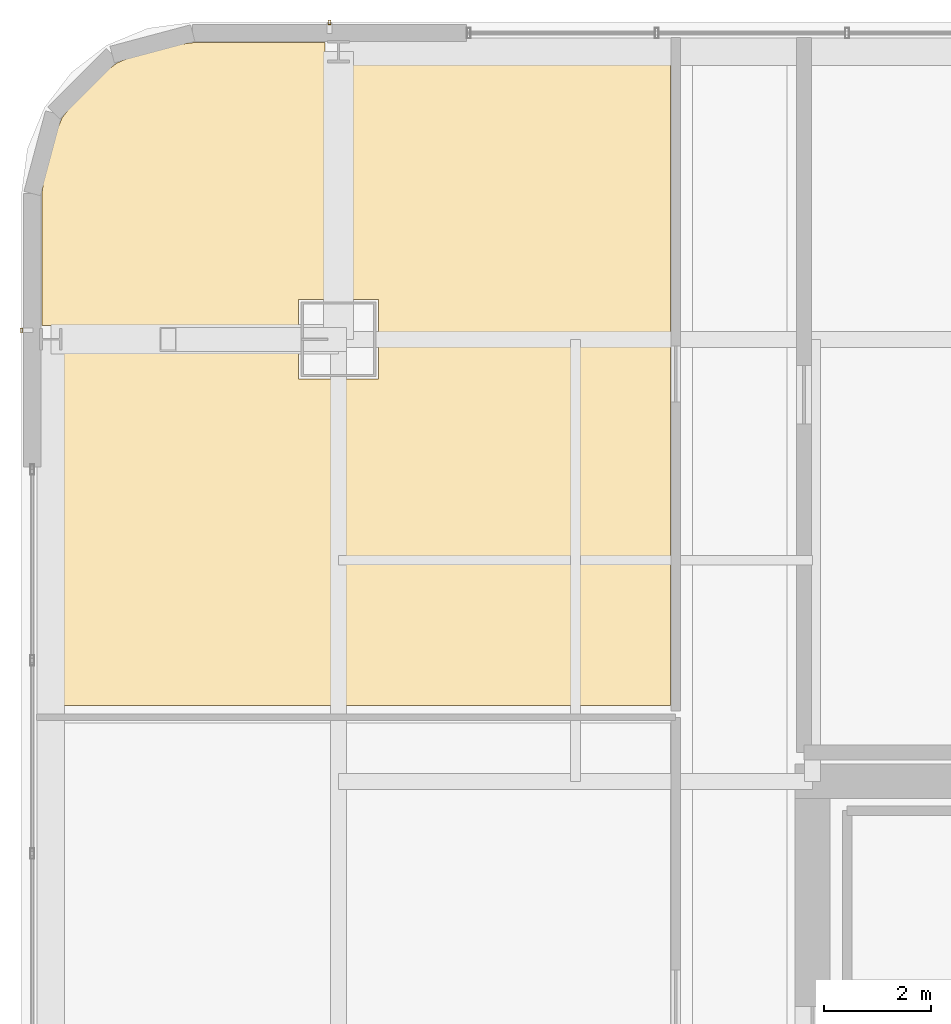
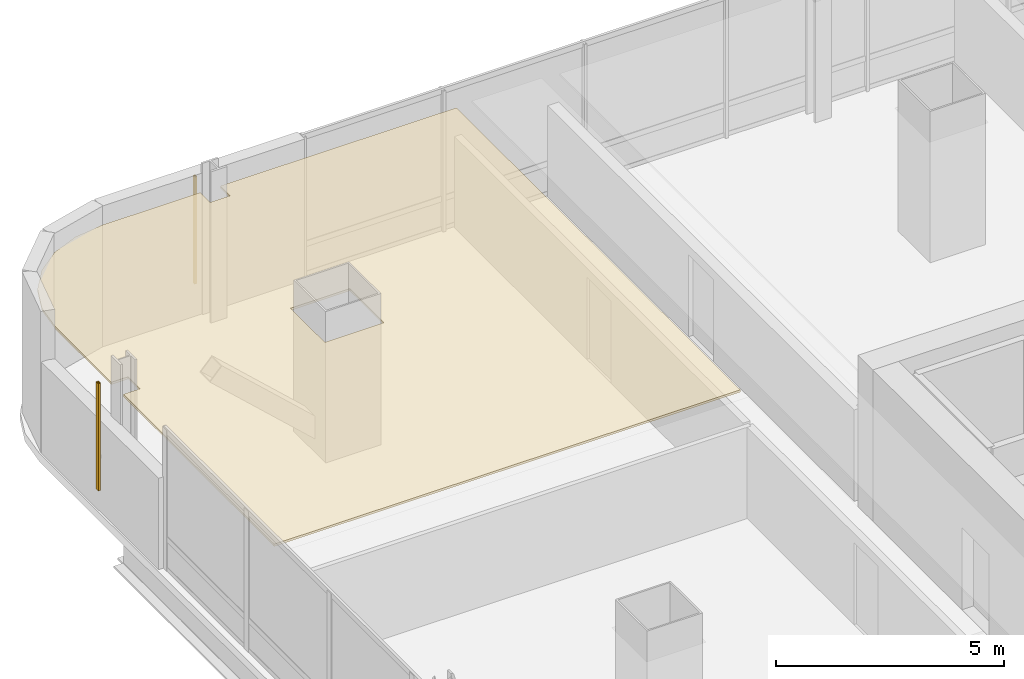
# One storey, part 45 of 47: 2 shading devices, 1 covering.
"""IFC4 building model written with IfcOpenShell, lengths in metres."""

import ifcopenshell
import ifcopenshell.guid

model = None  # the IFC model being written
_history = None  # IfcOwnerHistory: only IFC2X3 demands one
_inside = {}  # id of a spatial element -> (the spatial element, [elements in it])
_under = {}  # id of a project, library or spatial element -> (it, [spatial elements below it])
_declared = {}  # id of a project -> (the project, [libraries it declares])
_typed = {}  # id of a type object -> (the type object, [elements of that type])
_made_of = {}  # id of a material, layer set ... -> (it, [elements and type objects made of it])


def new_model(schema):
    """Start an empty IFC model of exactly this schema.

    Asked for "IFC4X3", IfcOpenShell would pick the latest addendum, in which some entities
    have other attributes; the version numbers below select the first issue.
    IFC2X3 requires an IfcOwnerHistory on every rooted entity: one is made here for all.
    """
    global model, _history
    if schema == "IFC4X3":
        model = ifcopenshell.file(schema_version=(4, 3, 0, 0))
    else:
        model = ifcopenshell.file(schema=schema)
    _inside.clear()
    _under.clear()
    _declared.clear()
    _typed.clear()
    _made_of.clear()
    _history = None
    if model.schema == "IFC2X3":
        org = make("IfcOrganization", Name="unknown")
        user = make(
            "IfcPersonAndOrganization",
            ThePerson=make("IfcPerson", FamilyName="unknown"),
            TheOrganization=org,
        )
        app = make(
            "IfcApplication",
            ApplicationDeveloper=org,
            Version="unknown",
            ApplicationFullName="unknown",
            ApplicationIdentifier="unknown",
        )
        _history = make(
            "IfcOwnerHistory",
            OwningUser=user,
            OwningApplication=app,
            ChangeAction="ADDED",
            CreationDate=0,
        )
    return model


def make(cls, **values):
    """One entity of the class cls with the attributes given. An attribute that is None is left unset."""
    return model.create_entity(
        cls, **{name: value for name, value in values.items() if value is not None}
    )


def rooted(cls, **values):
    """An entity with a GlobalId (a new one), such as an element, a storey or a relation."""
    return make(cls, GlobalId=ifcopenshell.guid.new(), OwnerHistory=_history, **values)


def si_unit(unit_type, name, prefix=None):
    """IfcSIUnit, for example si_unit("LENGTHUNIT", "METRE", prefix="MILLI")."""
    return make("IfcSIUnit", UnitType=unit_type, Prefix=prefix, Name=name)


def assignment(units):
    """IfcUnitAssignment: the units of a project."""
    return None if units is None else make("IfcUnitAssignment", Units=units)


def point(xyz):
    """IfcCartesianPoint."""
    return None if xyz is None else make("IfcCartesianPoint", Coordinates=xyz)


def direction(xyz):
    """IfcDirection."""
    return None if xyz is None else make("IfcDirection", DirectionRatios=xyz)


def frame(location, z_axis=None, x_axis=None):
    """IfcAxis2Placement3D, a coordinate frame: its origin and axes. An axis left out is left unset."""
    return make(
        "IfcAxis2Placement3D",
        Location=point(location),
        Axis=direction(z_axis),
        RefDirection=direction(x_axis),
    )


def frame_2d(location, x_axis=None):
    """IfcAxis2Placement2D, a coordinate frame in the plane: its origin and x axis."""
    return make(
        "IfcAxis2Placement2D", Location=point(location), RefDirection=direction(x_axis)
    )


def origin():
    """The frame at (0, 0, 0) with its axes left unset."""
    return frame((0.0, 0.0, 0.0))


def origin_2d():
    """The frame at (0, 0) in the plane with its x axis left unset."""
    return frame_2d((0.0, 0.0))


def place(relative_to, where):
    """IfcLocalPlacement: puts the frame where relative to a parent placement (None: the world)."""
    return make(
        "IfcLocalPlacement", PlacementRelTo=relative_to, RelativePlacement=where
    )


def context(
    kind, dimensions, precision=None, world=None, true_north=None, identifier=None
):
    """IfcGeometricRepresentationContext, for example the 3D "Model" context."""
    return make(
        "IfcGeometricRepresentationContext",
        ContextIdentifier=identifier,
        ContextType=kind,
        CoordinateSpaceDimension=dimensions,
        Precision=precision,
        WorldCoordinateSystem=world,
        TrueNorth=true_north,
    )


def subcontext(parent, identifier, kind, view, scale=None):
    """IfcGeometricRepresentationSubContext, for example "Body" below "Model"."""
    return make(
        "IfcGeometricRepresentationSubContext",
        ContextIdentifier=identifier,
        ContextType=kind,
        ParentContext=parent,
        TargetScale=scale,
        TargetView=view,
    )


def project(units=None, contexts=None):
    """IfcProject with its units and contexts."""
    return rooted(
        "IfcProject",
        Name="project",
        RepresentationContexts=contexts,
        UnitsInContext=assignment(units),
    )


def spatial(cls, under=None, at=None, **own):
    """A site, building, storey or space (cls), placed at a placement, below another one or the project."""
    s = rooted(cls, ObjectPlacement=at, **own)
    if under is not None:
        _under.setdefault(under.id(), (under, []))[1].append(s)
    return s


def polyline(points):
    """IfcPolyline through the points."""
    return make("IfcPolyline", Points=[point(p) for p in points])


def profile(cls, at=None, kind="AREA", **sizes):
    """A parametric profile (cls). Its sizes go by their IFC names, for example OverallWidth=200.0."""
    return make(cls, ProfileType=kind, Position=at, **sizes)


def hollow_rectangle(**sizes):
    """IfcRectangleHollowProfileDef."""
    return profile("IfcRectangleHollowProfileDef", **sizes)


def outline(outer, holes=None, kind="AREA"):
    """IfcArbitraryClosedProfileDef: a profile drawn as a closed curve; with holes, ...WithVoids."""
    if holes is None:
        return make("IfcArbitraryClosedProfileDef", ProfileType=kind, OuterCurve=outer)
    return make(
        "IfcArbitraryProfileDefWithVoids",
        ProfileType=kind,
        OuterCurve=outer,
        InnerCurves=holes,
    )


def extrude(swept, where, along, depth):
    """IfcExtrudedAreaSolid: the profile swept, set in the frame where, extruded along a direction by depth."""
    return make(
        "IfcExtrudedAreaSolid",
        SweptArea=swept,
        Position=where,
        ExtrudedDirection=direction(along),
        Depth=depth,
    )


def shape(context_of_items, identifier, shape_type, items):
    """IfcShapeRepresentation: the items that make up one representation, for example the "Body"."""
    return make(
        "IfcShapeRepresentation",
        ContextOfItems=context_of_items,
        RepresentationIdentifier=identifier,
        RepresentationType=shape_type,
        Items=items,
    )


def material(Name=None, Category=None):
    """IfcMaterial."""
    return make("IfcMaterial", Name=Name, Category=Category)


def layer(
    of_material, thickness, ventilated=None, Name=None, Category=None, Priority=None
):
    """IfcMaterialLayer: one layer of a wall or slab, of a material (None: an air gap)."""
    return make(
        "IfcMaterialLayer",
        Material=of_material,
        LayerThickness=thickness,
        IsVentilated=ventilated,
        Name=Name,
        Category=Category,
        Priority=Priority,
    )


def layer_set(layers, Name=None):
    """IfcMaterialLayerSet."""
    return make("IfcMaterialLayerSet", MaterialLayers=layers, LayerSetName=Name)


def material_profile(
    of_material, cross_section, Name=None, Category=None, Priority=None
):
    """IfcMaterialProfile: a cross section and its material."""
    return make(
        "IfcMaterialProfile",
        Name=Name,
        Material=of_material,
        Profile=cross_section,
        Priority=Priority,
        Category=Category,
    )


def profile_set(profiles, Name=None, composite=None):
    """IfcMaterialProfileSet."""
    return make(
        "IfcMaterialProfileSet",
        Name=Name,
        MaterialProfiles=profiles,
        CompositeProfile=composite,
    )


def made_of(thing, what):
    """Note that an element or type object is made of a material, layer set ...; save() writes the relation."""
    if what is not None:
        _made_of.setdefault(what.id(), (what, []))[1].append(thing)
    return thing


def type_object(cls, material=None, **own):
    """A type object (cls), such as IfcWallType, which elements share."""
    return made_of(rooted(cls, **own), material)


def element(
    cls,
    number,
    at=None,
    inside=None,
    cuts=None,
    type_object=None,
    material=None,
    context=None,
    identifier="Body",
    shape_type=None,
    held_by="IfcProductDefinitionShape",
    body=None,
    shapes=None,
    **own,
):
    """One element of the class cls, such as IfcWall. Its Tag is "e" and its number.

    at: its placement. inside: the storey or other place that contains it. cuts: it is an
    opening in that element (IfcRelVoidsElement). A single representation is given by context,
    identifier, shape_type and body (its items); several are given by shapes. held_by: the class
    of the entity that holds the representations. save() writes the other relations.
    """
    e = rooted(cls, Tag="e%d" % number, ObjectPlacement=at, **own)
    if body is not None:
        shapes = [shape(context, identifier, shape_type, body)]
    if shapes is not None:
        e.Representation = make(held_by, Representations=shapes)
    if inside is not None:
        _inside.setdefault(inside.id(), (inside, []))[1].append(e)
    if cuts is not None:
        rooted(
            "IfcRelVoidsElement", RelatingBuildingElement=cuts, RelatedOpeningElement=e
        )
    if type_object is not None:
        _typed.setdefault(type_object.id(), (type_object, []))[1].append(e)
    return made_of(e, material)


def aggregate(whole, parts):
    """IfcRelAggregates: a whole, such as a stair, and the parts it consists of."""
    return rooted("IfcRelAggregates", RelatingObject=whole, RelatedObjects=parts)


def save(model, path):
    """Write the relations noted so far, then the file.

    IfcRelAggregates (storeys below a building ...), IfcRelContainedInSpatialStructure (elements
    in a storey), IfcRelDefinesByType, IfcRelAssociatesMaterial and IfcRelDeclares: one each for
    every whole, place, type object, material and project.
    """
    for whole, parts in _under.values():
        aggregate(whole, parts)
    for where, things in _inside.values():
        rooted(
            "IfcRelContainedInSpatialStructure",
            RelatedElements=things,
            RelatingStructure=where,
        )
    for kind, things in _typed.values():
        rooted("IfcRelDefinesByType", RelatedObjects=things, RelatingType=kind)
    for what, things in _made_of.values():
        rooted("IfcRelAssociatesMaterial", RelatedObjects=things, RelatingMaterial=what)
    for by, libraries in _declared.values():
        rooted("IfcRelDeclares", RelatingContext=by, RelatedDefinitions=libraries)
    model.write(path)


model = new_model("IFC4")

# Units and contexts
model_context = context("Model", 3, precision=1e-05, world=origin(), true_north=direction((0.0, 1.0)))
body_context = subcontext(model_context, "Body", "Model", "MODEL_VIEW")
ifc_project = project(units=[si_unit("LENGTHUNIT", "METRE"), si_unit("AREAUNIT", "SQUARE_METRE"), si_unit("VOLUMEUNIT", "CUBIC_METRE"), si_unit("PLANEANGLEUNIT", "RADIAN"), si_unit("MASSUNIT", "GRAM", prefix="KILO")], contexts=[model_context])

# Site, building, storey
site_placement = place(None, origin())
site = spatial("IfcSite", under=ifc_project, at=site_placement, CompositionType="ELEMENT")
building_placement = place(site_placement, origin())
building = spatial("IfcBuilding", under=site, at=building_placement, Name="Punatoya Terracotta Tower", CompositionType="ELEMENT")
storey_placement = place(building_placement, frame((0.0, 0.0, 168.14990234375)))
storey = spatial("IfcBuildingStorey", under=building, at=storey_placement, Name="L39", CompositionType="ELEMENT", Elevation=168.14990234375)

# Covering
ifc_material_1 = material(Name="Acoustic Mineral Fibre Ceiling")
ifc_layer = layer(ifc_material_1, 0.06005859375)
ifc_layer_set = layer_set([ifc_layer], Name="Acoustic Mineral Fibre Ceiling")
covering_type = type_object("IfcCoveringType", Name="COV-CEIL-60", PredefinedType="CEILING", material=ifc_layer_set)
covering_placement = place(storey_placement, frame((0.0, 0.0, 3.22021484375)))
element("IfcCovering", 1, at=covering_placement, inside=storey, type_object=covering_type, Name="L39 Open-Plan Staff Wellness Studio Acoustic Ceiling", PredefinedType="CEILING", context=body_context, shape_type="SweptSolid", body=[
    extrude(outline(polyline([(-18.845458984375, 23.070068359375), (-18.845458984375, 22.637451171875), (-19.3544921875, 22.637451171875), (-19.3544921875, 23.070068359375), (-21.8251953125, 23.070068359375), (-22.5791015625, 22.970703125), (-23.25830078125, 22.689453125), (-23.841796875, 22.24169921875), (-24.289306640625, 21.658203125), (-24.57080078125, 20.97900390625), (-24.669921875, 20.22509765625), (-24.669921875, 17.762451171875), (-24.24560546875, 17.762451171875), (-24.24560546875, 17.237548828125), (-24.669921875, 17.237548828125), (-24.669921875, 10.6201171875), (-12.8701171875, 10.6201171875), (-12.8701171875, 23.070068359375), (-18.845458984375, 23.070068359375)]), holes=[polyline([(-19.85009765625, 18.25), (-18.35009765625, 18.25), (-18.35009765625, 16.75), (-19.85009765625, 16.75), (-19.85009765625, 18.25)])]), origin(), (0.0, 0.0, 1.0), 0.059814453125),
])

# Shading devices
ifc_material_2 = material(Name="Architectural Fired Terracotta", Category="masonry")
ifc_material_profile = material_profile(ifc_material_2, hollow_rectangle(XDim=0.06005859375, YDim=0.090087890625, WallThickness=0.013916015625, at=origin_2d()))
ifc_profile_set = profile_set([ifc_material_profile], Name="Architectural Fired Terracotta")
shading_device_type = type_object("IfcShadingDeviceType", Name="SHD-JALI-90", PredefinedType="JALOUSIE", material=ifc_profile_set)
for number, where, z_axis, x_axis, name in (
    (2, (-19.2685546875, 23.449951171875, 0.60009765625), (0.0, 0.0, 1.0), (1.0, 0.0, 0.0), "L39 Braced Bay Terracotta Jali Fin N2"),
    (3, (-25.050048828125, 17.66845703125, 0.60009765625), (0.0, 0.0, 1.0), (1.0, 0.0, 0.0), "L39 Braced Bay Terracotta Jali Fin W1"),
):
    element("IfcShadingDevice", number, at=place(storey_placement, frame(where, z_axis=z_axis, x_axis=x_axis)), inside=storey, type_object=shading_device_type, Name=name, PredefinedType="JALOUSIE", context=body_context, shape_type="SweptSolid", body=[
        extrude(hollow_rectangle(XDim=0.06005859375, YDim=0.090087890625, WallThickness=0.013916015625, at=origin_2d()), origin(), (0.0, 0.0, 1.0), 2.8701171875),
    ])

save(model, "model.ifc")
